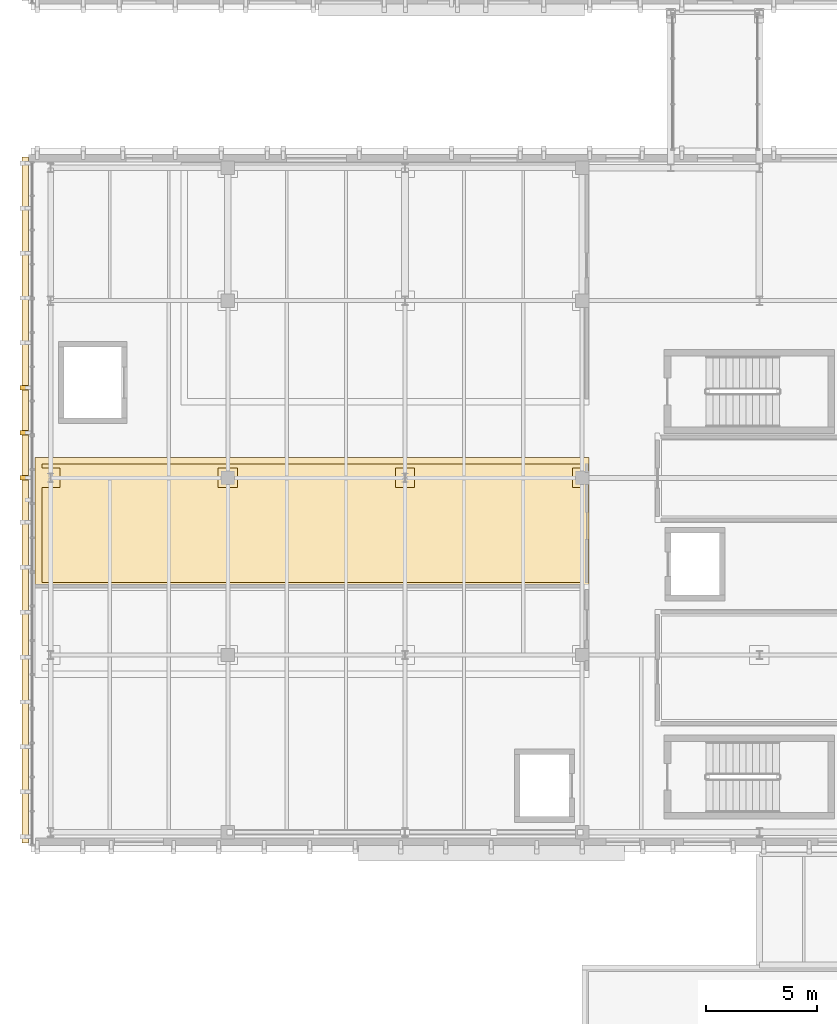
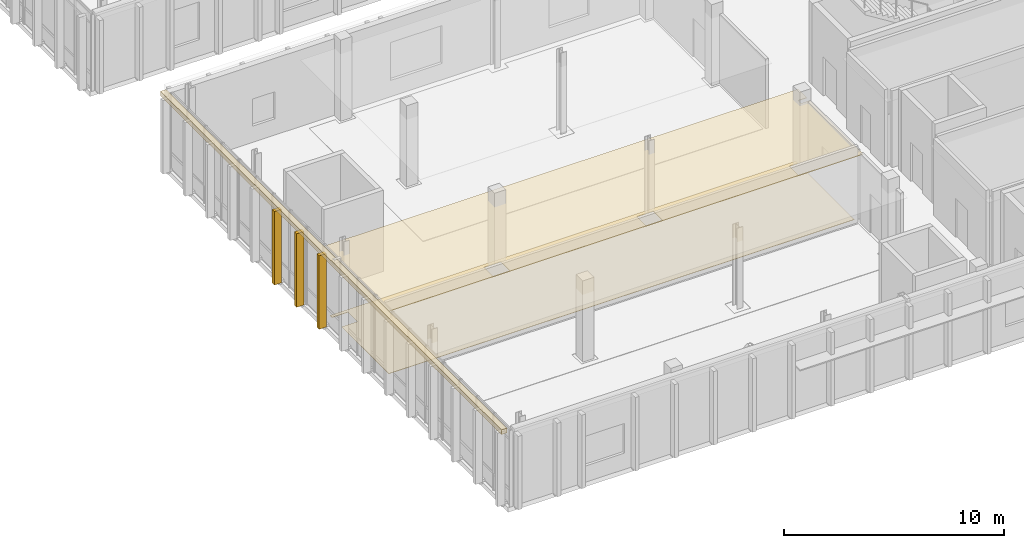
# One storey, part 74 of 86: 6 coverings.
"""IFC4 building model written with IfcOpenShell, lengths in metres."""

from ifc_helpers import new_model, si_unit, direction, frame, origin, origin_2d, place, context, subcontext, project, spatial, polyline, rectangle, outline, extrude, material, layer, layer_set, type_object, element, save


model = new_model("IFC4")

# Units and contexts
model_context = context("Model", 3, precision=1e-05, world=origin(), true_north=direction((0.0, 1.0)))
body_context = subcontext(model_context, "Body", "Model", "MODEL_VIEW")
ifc_project = project(units=[si_unit("LENGTHUNIT", "METRE"), si_unit("AREAUNIT", "SQUARE_METRE"), si_unit("VOLUMEUNIT", "CUBIC_METRE"), si_unit("PLANEANGLEUNIT", "RADIAN"), si_unit("MASSUNIT", "GRAM", prefix="KILO")], contexts=[model_context])

# Site, building, storey
site_placement = place(None, origin())
site = spatial("IfcSite", under=ifc_project, at=site_placement, CompositionType="ELEMENT")
building_placement = place(site_placement, origin())
building = spatial("IfcBuilding", under=site, at=building_placement, Name="Cymarion Research Institute", CompositionType="ELEMENT")
storey_placement = place(building_placement, frame((0.0, 0.0, 13.800048828125)))
storey = spatial("IfcBuildingStorey", under=building, at=storey_placement, Name="L03", CompositionType="ELEMENT", Elevation=13.800048828125)

# Coverings
ifc_material_1 = material(Name="Micro-perforated mineral acoustic ceiling tile", Category="gypsum")
ifc_layer_1 = layer(ifc_material_1, 0.030029296875)
ifc_layer_set_1 = layer_set([ifc_layer_1], Name="Micro-perforated mineral acoustic ceiling tile")
covering_type_1 = type_object("IfcCoveringType", Name="ACOUSTIC MICRO-PERFORATED SUSPENDED CEILING CLG-01", PredefinedType="CEILING", material=ifc_layer_set_1)
covering_1_placement = place(storey_placement, frame((0.0, 0.0, 3.699951171875)))
element("IfcCovering", 1, at=covering_1_placement, inside=storey, type_object=covering_type_1, Name="L03 L03 ISO Class 6 Nanofabrication & Lithography Cleanroom acoustic ceiling", PredefinedType="CEILING", context=body_context, shape_type="SweptSolid", body=[
    extrude(outline(polyline([(30.465087890625, 63.635009765625), (30.465087890625, 63.364990234375), (30.9150390625, 63.364990234375), (30.9150390625, 58.485107421875), (5.905029296875, 58.485107421875), (5.905029296875, 64.4150390625), (30.9150390625, 64.4150390625), (30.9150390625, 63.635009765625), (30.465087890625, 63.635009765625)])), origin(), (0.0, 0.0, 1.0), 0.030029296875),
])
ifc_material_2 = material(Name="Precast concrete C45/55 architectural white", Category="concrete")
ifc_layer_2 = layer(ifc_material_2, 0.260009765625)
ifc_layer_set_2 = layer_set([ifc_layer_2], Name="Precast concrete C45/55 architectural white")
covering_type_2 = type_object("IfcCoveringType", Name="SCULPTURAL WHITE PRECAST CONCRETE SPANDREL BROW BAND RIB2 280MM", PredefinedType="CLADDING", material=ifc_layer_set_2)
covering_2_placement = place(storey_placement, frame((5.4580078125, 62.5, 4.08984375), z_axis=(0.0, 0.0, 1.0), x_axis=(-1.0, 0.0, 0.0)))
element("IfcCovering", 2, at=covering_2_placement, inside=storey, type_object=covering_type_2, Name="L03 V4 precast spandrel brow band RIB2 #725", PredefinedType="CLADDING", context=body_context, shape_type="SweptSolid", body=[
    extrude(rectangle(XDim=0.280029296875, YDim=30.9599609375, at=origin_2d()), origin(), (0.0, 0.0, 1.0), 0.260009765625),
])
ifc_layer_3 = layer(ifc_material_2, 0.199951171875)
ifc_layer_set_3 = layer_set([ifc_layer_3], Name="Precast concrete C45/55 architectural white")
covering_type_3 = type_object("IfcCoveringType", Name="SCULPTURAL WHITE PRECAST CONCRETE VERTICAL RIB RIB1 380X200", PredefinedType="CLADDING", material=ifc_layer_set_3)
for number, where, z_axis, x_axis, name in (
    (3, (5.407958984375, 67.566650390625, 0.009765625), (0.0, 0.0, 1.0), (-1.0, 0.0, 0.0), "L03 V4 sculptural precast vertical rib RIB1 #731"),
    (4, (5.407958984375, 65.5400390625, 0.009765625), (0.0, 0.0, 1.0), (-1.0, 0.0, 0.0), "L03 V4 sculptural precast vertical rib RIB1 #732"),
    (5, (5.407958984375, 63.51318359375, 0.009765625), (0.0, 0.0, 1.0), (-1.0, 0.0, 0.0), "L03 V4 sculptural precast vertical rib RIB1 #733"),
):
    element("IfcCovering", number, at=place(storey_placement, frame(where, z_axis=z_axis, x_axis=x_axis)), inside=storey, type_object=covering_type_3, Name=name, PredefinedType="CLADDING", context=body_context, shape_type="SweptSolid", body=[
        extrude(rectangle(XDim=0.3798828125, YDim=0.199951171875, at=origin_2d()), origin(), (0.0, 0.0, 1.0), 4.074951171875),
    ])
ifc_material_3 = material(Name="Seamless dissipative epoxy resin flooring", Category="resin")
ifc_layer_4 = layer(ifc_material_3, 0.02001953125)
ifc_layer_set_4 = layer_set([ifc_layer_4], Name="Seamless dissipative epoxy resin flooring")
covering_type_4 = type_object("IfcCoveringType", Name="SEAMLESS ESD EPOXY LABORATORY FLOORING FLR-01", PredefinedType="FLOORING", material=ifc_layer_set_4)
covering_3_placement = place(storey_placement, origin())
element("IfcCovering", 6, at=covering_3_placement, inside=storey, type_object=covering_type_4, Name="L03 L03 ISO Class 6 Nanofabrication & Lithography Cleanroom ESD epoxy flooring", PredefinedType="FLOORING", context=body_context, shape_type="SweptSolid", body=[
    extrude(outline(polyline([(6.205078125, 63.06494140625), (7.034912109375, 63.06494140625), (7.034912109375, 63.93505859375), (6.205078125, 63.93505859375), (6.205078125, 64.114990234375), (30.614990234375, 64.114990234375), (30.614990234375, 63.93505859375), (30.1650390625, 63.93505859375), (30.1650390625, 63.06494140625), (30.614990234375, 63.06494140625), (30.614990234375, 58.784912109375), (6.205078125, 58.784912109375), (6.205078125, 63.06494140625)]), holes=[polyline([(22.1650390625, 63.93505859375), (22.1650390625, 63.06494140625), (23.034912109375, 63.06494140625), (23.034912109375, 63.93505859375), (22.1650390625, 63.93505859375)]), polyline([(15.034912109375, 63.93505859375), (14.1650390625, 63.93505859375), (14.1650390625, 63.06494140625), (15.034912109375, 63.06494140625), (15.034912109375, 63.93505859375)])]), origin(), (0.0, 0.0, 1.0), 0.02001953125),
])

save(model, "model.ifc")
